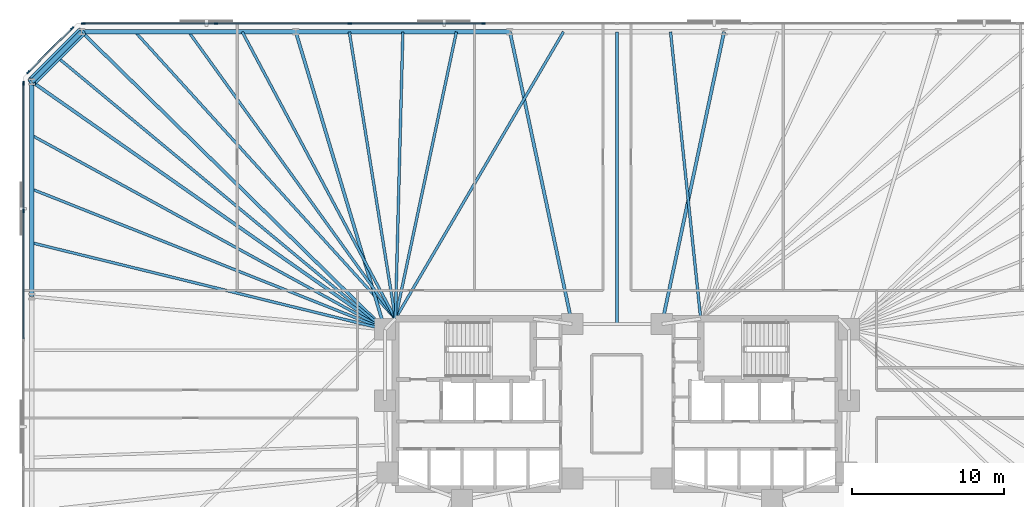
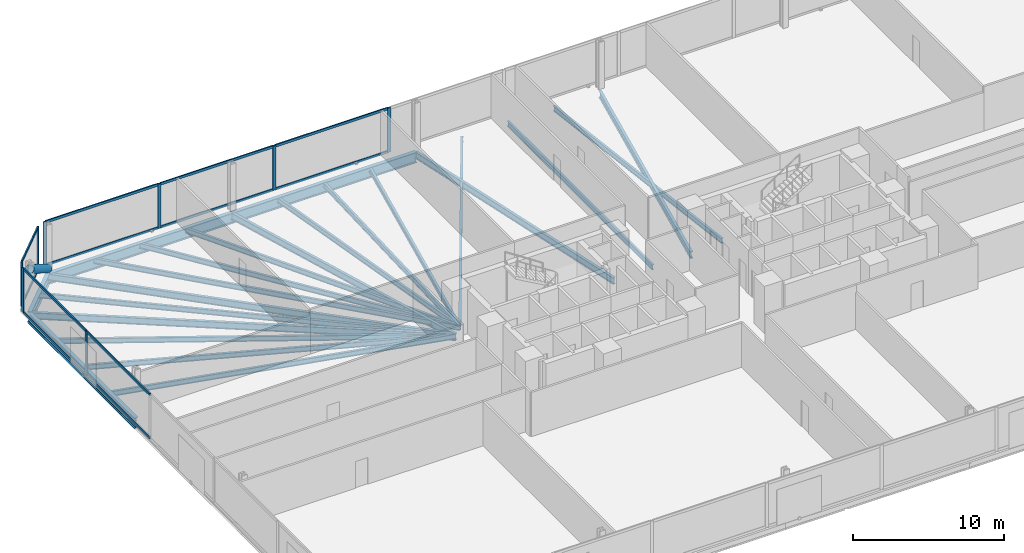
# One storey, part 8 of 17: 22 beams, 21 members, 3 elements without a shape of their own.
"""IFC4 building model written with IfcOpenShell, lengths in metres."""

from ifc_helpers import new_model, si_unit, direction, frame, origin, origin_2d, place, context, subcontext, project, spatial, rectangle, hollow_circle, i_section, extrude, material, material_profile, profile_set, type_object, element, aggregate, save


model = new_model("IFC4")

# Units and contexts
model_context = context("Model", 3, precision=1e-05, world=origin(), true_north=direction((0.0, 1.0)))
body_context = subcontext(model_context, "Body", "Model", "MODEL_VIEW")
ifc_project = project(units=[si_unit("LENGTHUNIT", "METRE"), si_unit("AREAUNIT", "SQUARE_METRE"), si_unit("VOLUMEUNIT", "CUBIC_METRE"), si_unit("PLANEANGLEUNIT", "RADIAN"), si_unit("MASSUNIT", "GRAM", prefix="KILO")], contexts=[model_context])

# Site, building, storey
site_placement = place(None, origin())
site = spatial("IfcSite", under=ifc_project, at=site_placement, CompositionType="ELEMENT")
building_placement = place(site_placement, origin())
building = spatial("IfcBuilding", under=site, at=building_placement, Name="Menara Jurai Vektor", CompositionType="ELEMENT")
storey_placement = place(building_placement, frame((0.0, 0.0, 48.39990234375)))
storey = spatial("IfcBuildingStorey", under=building, at=storey_placement, Name="L11", CompositionType="ELEMENT", Elevation=48.39990234375)

# Curtain wall, members
ifc_material_1 = material(Name="Anodised Pale Aluminium & Low-E Double Glazing", Category="aluminium")
curtain_wall_type = type_object("IfcCurtainWallType", Name="CW-BLK1", PredefinedType="NOTDEFINED", material=ifc_material_1)
curtain_wall_1_placement = place(storey_placement, origin())
curtain_wall_1 = element("IfcCurtainWall", 1, at=curtain_wall_1_placement, inside=storey, type_object=curtain_wall_type, Name="Unitised Curtain Wall L11 F05", PredefinedType="NOTDEFINED")
ifc_material_2 = material(Name="Anodised Pale Aluminium Mullion", Category="aluminium")
ifc_material_profile_1 = material_profile(ifc_material_2, rectangle(XDim=0.094970703125, YDim=0.239990234375, at=origin_2d()), Name="ALU MUL 95x240")
ifc_profile_set_1 = profile_set([ifc_material_profile_1], Name="Anodised Pale Aluminium Mullion")
member_type_1 = type_object("IfcMemberType", Name="CW-BLK1-MUL", PredefinedType="MULLION", material=ifc_profile_set_1)
member_1_placement = place(storey_placement, frame((-8.780029296875, 25.0, 0.0), z_axis=(0.0, 0.0, 1.0), x_axis=(0.0, -1.0, 0.0)))
member_1 = element("IfcMember", 2, at=member_1_placement, type_object=member_type_1, Name="CW-01 mullion 6", PredefinedType="MULLION", context=body_context, shape_type="SweptSolid", body=[
    extrude(rectangle(XDim=0.094970703125, YDim=0.239990234375, at=origin_2d()), origin(), (0.0, 0.0, 1.0), 3.5751953125),
])
member_2_placement = place(storey_placement, frame((-17.56005859375, 25.0, 0.0), z_axis=(0.0, 0.0, 1.0), x_axis=(0.0, -1.0, 0.0)))
member_2 = element("IfcMember", 3, at=member_2_placement, type_object=member_type_1, Name="CW-01 mullion 7", PredefinedType="MULLION", context=body_context, shape_type="SweptSolid", body=[
    extrude(rectangle(XDim=0.094970703125, YDim=0.239990234375, at=origin_2d()), origin(), (0.0, 0.0, 1.0), 3.5751953125),
])
member_3_placement = place(storey_placement, frame((-26.340087890625, 25.0, 0.0), z_axis=(0.0, 0.0, 1.0), x_axis=(0.0, -1.0, 0.0)))
member_3 = element("IfcMember", 4, at=member_3_placement, type_object=member_type_1, Name="CW-01 mullion 8", PredefinedType="MULLION", context=body_context, shape_type="SweptSolid", body=[
    extrude(rectangle(XDim=0.094970703125, YDim=0.239990234375, at=origin_2d()), origin(), (0.0, 0.0, 1.0), 3.5751953125),
])
member_4_placement = place(storey_placement, frame((-35.072509765625, 25.0, 0.0), z_axis=(0.0, 0.0, 1.0), x_axis=(0.0, -1.0, 0.0)))
member_4 = element("IfcMember", 5, at=member_4_placement, type_object=member_type_1, Name="CW-01 mullion 9", PredefinedType="MULLION", context=body_context, shape_type="SweptSolid", body=[
    extrude(rectangle(XDim=0.094970703125, YDim=0.239990234375, at=origin_2d()), origin(), (0.0, 0.0, 1.0), 3.5751953125),
])

curtain_wall_2_placement = place(storey_placement, origin())
curtain_wall_2 = element("IfcCurtainWall", 6, at=curtain_wall_2_placement, inside=storey, type_object=curtain_wall_type, Name="Unitised Curtain Wall L11 F06", PredefinedType="NOTDEFINED")
member_5_placement = place(storey_placement, frame((-35.80224609375, 24.69775390625, 0.0), z_axis=(0.0, 0.0, 1.0), x_axis=(0.707106781187, -0.707106781187, 0.0)))
member_5 = element("IfcMember", 7, at=member_5_placement, type_object=member_type_1, Name="CW-01 mullion 1", PredefinedType="MULLION", context=body_context, shape_type="SweptSolid", body=[
    extrude(rectangle(XDim=0.094970703125, YDim=0.239990234375, at=origin_2d()), origin(), (0.0, 0.0, 1.0), 3.5751953125),
])
member_6_placement = place(storey_placement, frame((-38.69775390625, 21.80224609375, 0.0), z_axis=(0.0, 0.0, 1.0), x_axis=(0.707106781187, -0.707106781187, 0.0)))
member_6 = element("IfcMember", 8, at=member_6_placement, type_object=member_type_1, Name="CW-01 mullion 2", PredefinedType="MULLION", context=body_context, shape_type="SweptSolid", body=[
    extrude(rectangle(XDim=0.094970703125, YDim=0.239990234375, at=origin_2d()), origin(), (0.0, 0.0, 1.0), 3.5751953125),
])

curtain_wall_3_placement = place(storey_placement, origin())
curtain_wall_3 = element("IfcCurtainWall", 9, at=curtain_wall_3_placement, inside=storey, type_object=curtain_wall_type, Name="Unitised Curtain Wall L11 F07", PredefinedType="NOTDEFINED")
member_7_placement = place(storey_placement, frame((-39.0, 21.072509765625, 0.0), z_axis=(0.0, 0.0, 1.0), x_axis=(1.0, 0.0, 0.0)))
member_7 = element("IfcMember", 10, at=member_7_placement, type_object=member_type_1, Name="CW-01 mullion 1", PredefinedType="MULLION", context=body_context, shape_type="SweptSolid", body=[
    extrude(rectangle(XDim=0.094970703125, YDim=0.239990234375, at=origin_2d()), origin(), (0.0, 0.0, 1.0), 3.5751953125),
])
member_8_placement = place(storey_placement, frame((-39.0, 12.672119140625, 0.0), z_axis=(0.0, 0.0, 1.0), x_axis=(1.0, 0.0, 0.0)))
member_8 = element("IfcMember", 11, at=member_8_placement, type_object=member_type_1, Name="CW-01 mullion 2", PredefinedType="MULLION", context=body_context, shape_type="SweptSolid", body=[
    extrude(rectangle(XDim=0.094970703125, YDim=0.239990234375, at=origin_2d()), origin(), (0.0, 0.0, 1.0), 3.5751953125),
])

# Member
ifc_material_3 = material(Name="Anodised Pale Aluminium Transom", Category="aluminium")
ifc_material_profile_2 = material_profile(ifc_material_3, rectangle(XDim=0.094970703125, YDim=0.199951171875, at=origin_2d()), Name="ALU TRN 95x200")
ifc_profile_set_2 = profile_set([ifc_material_profile_2], Name="Anodised Pale Aluminium Transom")
member_type_2 = type_object("IfcMemberType", Name="CW-BLK1-TRN", PredefinedType="USERDEFINED", material=ifc_profile_set_2)
member_9_placement = place(storey_placement, frame((-8.827392578125, 25.0, 0.047607421875), z_axis=(-1.0, 0.0, 0.0), x_axis=(0.0, -1.0, 0.0)))
member_9 = element("IfcMember", 12, at=member_9_placement, type_object=member_type_2, Name="CW-01 transom 6.1", ObjectType="TRANSOM", PredefinedType="USERDEFINED", context=body_context, shape_type="SweptSolid", body=[
    extrude(rectangle(XDim=0.094970703125, YDim=0.199951171875, at=origin_2d()), origin(), (0.0, 0.0, 1.0), 8.68505859375),
])

member_10_placement = place(storey_placement, frame((-8.827392578125, 25.0, 3.527587890625), z_axis=(-1.0, 0.0, 0.0), x_axis=(0.0, -1.0, 0.0)))
member_10 = element("IfcMember", 13, at=member_10_placement, type_object=member_type_2, Name="CW-01 transom 6.2", ObjectType="TRANSOM", PredefinedType="USERDEFINED", context=body_context, shape_type="SweptSolid", body=[
    extrude(rectangle(XDim=0.094970703125, YDim=0.199951171875, at=origin_2d()), origin(), (0.0, 0.0, 1.0), 8.68505859375),
])

member_11_placement = place(storey_placement, frame((-17.607421875, 25.0, 0.047607421875), z_axis=(-1.0, 0.0, 0.0), x_axis=(0.0, -1.0, 0.0)))
member_11 = element("IfcMember", 14, at=member_11_placement, type_object=member_type_2, Name="CW-01 transom 7.1", ObjectType="TRANSOM", PredefinedType="USERDEFINED", context=body_context, shape_type="SweptSolid", body=[
    extrude(rectangle(XDim=0.094970703125, YDim=0.199951171875, at=origin_2d()), origin(), (0.0, 0.0, 1.0), 8.68505859375),
])

member_12_placement = place(storey_placement, frame((-17.607421875, 25.0, 3.527587890625), z_axis=(-1.0, 0.0, 0.0), x_axis=(0.0, -1.0, 0.0)))
member_12 = element("IfcMember", 15, at=member_12_placement, type_object=member_type_2, Name="CW-01 transom 7.2", ObjectType="TRANSOM", PredefinedType="USERDEFINED", context=body_context, shape_type="SweptSolid", body=[
    extrude(rectangle(XDim=0.094970703125, YDim=0.199951171875, at=origin_2d()), origin(), (0.0, 0.0, 1.0), 8.68505859375),
])

member_13_placement = place(storey_placement, frame((-26.387451171875, 25.0, 0.047607421875), z_axis=(-1.0, 0.0, 0.0), x_axis=(0.0, -1.0, 0.0)))
member_13 = element("IfcMember", 16, at=member_13_placement, type_object=member_type_2, Name="CW-01 transom 8.1", ObjectType="TRANSOM", PredefinedType="USERDEFINED", context=body_context, shape_type="SweptSolid", body=[
    extrude(rectangle(XDim=0.094970703125, YDim=0.199951171875, at=origin_2d()), origin(), (0.0, 0.0, 1.0), 8.637451171875),
])

member_14_placement = place(storey_placement, frame((-26.387451171875, 25.0, 3.527587890625), z_axis=(-1.0, 0.0, 0.0), x_axis=(0.0, -1.0, 0.0)))
member_14 = element("IfcMember", 17, at=member_14_placement, type_object=member_type_2, Name="CW-01 transom 8.2", ObjectType="TRANSOM", PredefinedType="USERDEFINED", context=body_context, shape_type="SweptSolid", body=[
    extrude(rectangle(XDim=0.094970703125, YDim=0.199951171875, at=origin_2d()), origin(), (0.0, 0.0, 1.0), 8.637451171875),
])

aggregate(curtain_wall_1, [member_1, member_2, member_3, member_4, member_9, member_10, member_11, member_12, member_13, member_14])

member_15_placement = place(storey_placement, frame((-35.8359375, 24.6640625, 0.047607421875), z_axis=(-0.707106781187, -0.707106781187, 0.0), x_axis=(0.707106781187, -0.707106781187, 0.0)))
member_15 = element("IfcMember", 18, at=member_15_placement, type_object=member_type_2, Name="CW-01 transom 1.1", ObjectType="TRANSOM", PredefinedType="USERDEFINED", context=body_context, shape_type="SweptSolid", body=[
    extrude(rectangle(XDim=0.094970703125, YDim=0.199951171875, at=origin_2d()), origin(), (0.0, 0.0, 1.0), 3.99951171875),
])

member_16_placement = place(storey_placement, frame((-35.8359375, 24.6640625, 3.527587890625), z_axis=(-0.707106781187, -0.707106781187, 0.0), x_axis=(0.707106781187, -0.707106781187, 0.0)))
member_16 = element("IfcMember", 19, at=member_16_placement, type_object=member_type_2, Name="CW-01 transom 1.2", ObjectType="TRANSOM", PredefinedType="USERDEFINED", context=body_context, shape_type="SweptSolid", body=[
    extrude(rectangle(XDim=0.094970703125, YDim=0.199951171875, at=origin_2d()), origin(), (0.0, 0.0, 1.0), 3.99951171875),
])

aggregate(curtain_wall_2, [member_5, member_6, member_15, member_16])

member_17_placement = place(storey_placement, frame((-39.0, 21.02490234375, 0.047607421875), z_axis=(0.0, -1.0, 0.0), x_axis=(1.0, 0.0, 0.0)))
member_17 = element("IfcMember", 20, at=member_17_placement, type_object=member_type_2, Name="CW-01 transom 1.1", ObjectType="TRANSOM", PredefinedType="USERDEFINED", context=body_context, shape_type="SweptSolid", body=[
    extrude(rectangle(XDim=0.094970703125, YDim=0.199951171875, at=origin_2d()), origin(), (0.0, 0.0, 1.0), 8.305419921875),
])

member_18_placement = place(storey_placement, frame((-39.0, 21.02490234375, 3.527587890625), z_axis=(0.0, -1.0, 0.0), x_axis=(1.0, 0.0, 0.0)))
member_18 = element("IfcMember", 21, at=member_18_placement, type_object=member_type_2, Name="CW-01 transom 1.2", ObjectType="TRANSOM", PredefinedType="USERDEFINED", context=body_context, shape_type="SweptSolid", body=[
    extrude(rectangle(XDim=0.094970703125, YDim=0.199951171875, at=origin_2d()), origin(), (0.0, 0.0, 1.0), 8.305419921875),
])

member_19_placement = place(storey_placement, frame((-39.0, 12.62451171875, 0.047607421875), z_axis=(0.0, -1.0, 0.0), x_axis=(1.0, 0.0, 0.0)))
member_19 = element("IfcMember", 22, at=member_19_placement, type_object=member_type_2, Name="CW-01 transom 2.1", ObjectType="TRANSOM", PredefinedType="USERDEFINED", context=body_context, shape_type="SweptSolid", body=[
    extrude(rectangle(XDim=0.094970703125, YDim=0.199951171875, at=origin_2d()), origin(), (0.0, 0.0, 1.0), 8.35302734375),
])

member_20_placement = place(storey_placement, frame((-39.0, 12.62451171875, 3.527587890625), z_axis=(0.0, -1.0, 0.0), x_axis=(1.0, 0.0, 0.0)))
member_20 = element("IfcMember", 23, at=member_20_placement, type_object=member_type_2, Name="CW-01 transom 2.2", ObjectType="TRANSOM", PredefinedType="USERDEFINED", context=body_context, shape_type="SweptSolid", body=[
    extrude(rectangle(XDim=0.094970703125, YDim=0.199951171875, at=origin_2d()), origin(), (0.0, 0.0, 1.0), 8.35302734375),
])

aggregate(curtain_wall_3, [member_7, member_8, member_17, member_18, member_19, member_20])

# Beams
ifc_material_4 = material(Name="Steel S355", Category="steel")
ifc_material_profile_3 = material_profile(ifc_material_4, i_section(OverallWidth=0.2109375, OverallDepth=0.5390625, WebThickness=0.011962890625, FlangeThickness=0.01904296875, FilletRadius=0.012939453125, at=origin_2d()), Name="UKB 533x210x109")
ifc_profile_set_3 = profile_set([ifc_material_profile_3], Name="Steel S355")
beam_type_1 = type_object("IfcBeamType", Name="STR-BM-533", PredefinedType="BEAM", material=ifc_profile_set_3)
for number, where, z_axis, x_axis, name in (
    (24, (7.03564453125, 24.449951171875, -0.494384765625), (-0.2081367579, -0.978099734184, 0.0), (0.978099734184, -0.2081367579, 0.0), "Radial Floor Girder L11-N3"),
    (25, (-7.03564453125, 24.449951171875, -0.494384765625), (0.2081367579, -0.978099734184, 0.0), (0.978099734184, 0.2081367579, 0.0), "Radial Floor Girder L11-N4"),
):
    element("IfcBeam", number, at=place(storey_placement, frame(where, z_axis=z_axis, x_axis=x_axis)), inside=storey, type_object=beam_type_1, Name=name, PredefinedType="BEAM", context=body_context, shape_type="SweptSolid", body=[
        extrude(i_section(OverallWidth=0.2109375, OverallDepth=0.5390625, WebThickness=0.011962890625, FlangeThickness=0.01904296875, FilletRadius=0.012939453125, at=origin_2d()), origin(), (0.0, 0.0, 1.0), 19.6298828125),
    ])
beam_1_placement = place(storey_placement, frame((-21.106689453125, 24.449951171875, -0.494384765625), z_axis=(0.286973617166, -0.957938486047, 0.0), x_axis=(0.957938486047, 0.286973617166, 0.0)))
element("IfcBeam", 26, at=beam_1_placement, inside=storey, type_object=beam_type_1, Name="Radial Floor Girder L11-N5", PredefinedType="BEAM", context=body_context, shape_type="SweptSolid", body=[
    extrude(i_section(OverallWidth=0.2109375, OverallDepth=0.5390625, WebThickness=0.011962890625, FlangeThickness=0.01904296875, FilletRadius=0.012939453125, at=origin_2d()), origin(), (0.0, 0.0, 1.0), 20.408447265625),
])
beam_2_placement = place(storey_placement, frame((-35.177734375, 24.449951171875, -0.494384765625), z_axis=(0.713839032855, -0.700309813706, 0.0), x_axis=(0.700309813706, 0.713839032855, 0.0)))
element("IfcBeam", 27, at=beam_2_placement, inside=storey, type_object=beam_type_1, Name="Radial Floor Girder L11-N6", PredefinedType="BEAM", context=body_context, shape_type="SweptSolid", body=[
    extrude(i_section(OverallWidth=0.2109375, OverallDepth=0.5390625, WebThickness=0.011962890625, FlangeThickness=0.01904296875, FilletRadius=0.012939453125, at=origin_2d()), origin(), (0.0, 0.0, 1.0), 27.916259765625),
])
beam_3_placement = place(storey_placement, frame((-38.449951171875, 21.177734375, -0.494384765625), z_axis=(0.818603732445, -0.574358711283, 0.0), x_axis=(0.574358711283, 0.818603732445, 0.0)))
element("IfcBeam", 28, at=beam_3_placement, inside=storey, type_object=beam_type_1, Name="Radial Floor Girder L11-W1", PredefinedType="BEAM", context=body_context, shape_type="SweptSolid", body=[
    extrude(i_section(OverallWidth=0.2109375, OverallDepth=0.5390625, WebThickness=0.011962890625, FlangeThickness=0.01904296875, FilletRadius=0.012939453125, at=origin_2d()), origin(), (0.0, 0.0, 1.0), 28.3408203125),
])

# Member
ifc_material_5 = material(Name="Steel S460", Category="steel")
ifc_material_profile_4 = material_profile(ifc_material_5, hollow_circle(Radius=0.304931640625, WallThickness=0.02490234375, at=origin_2d()), Name="CHS 610x25")
ifc_profile_set_4 = profile_set([ifc_material_profile_4], Name="Steel S460")
member_type_3 = type_object("IfcMemberType", Name="STR-BR-610", PredefinedType="BRACE", material=ifc_profile_set_4)
member_21_placement = place(storey_placement, frame((-35.177734375, 24.449951171875, 0.150146484375), z_axis=(-0.588942422958, -0.588942422958, 0.553438022619), x_axis=(0.707106781187, -0.707106781187, 0.0)))
element("IfcMember", 29, at=member_21_placement, inside=storey, type_object=member_type_3, Name="Exoskeleton Corner Brace L11-3", PredefinedType="BRACE", context=body_context, shape_type="SweptSolid", body=[
    extrude(hollow_circle(Radius=0.304931640625, WallThickness=0.02490234375, at=origin_2d()), origin(), (0.0, 0.0, 1.0), 5.55615234375),
])

# Beams
ifc_material_profile_5 = material_profile(ifc_material_4, i_section(OverallWidth=0.178955078125, OverallDepth=0.408935546875, WebThickness=0.009033203125, FlangeThickness=0.013916015625, FilletRadius=0.010009765625, at=origin_2d()), Name="UKB 406x178x67")
ifc_profile_set_5 = profile_set([ifc_material_profile_5], Name="Steel S355")
beam_type_2 = type_object("IfcBeamType", Name="STR-JS-406", PredefinedType="JOIST", material=ifc_profile_set_5)
beam_4_placement = place(storey_placement, frame((3.517822265625, 24.449951171875, -0.429443359375), z_axis=(0.104579513969, -0.994516528399, 0.0), x_axis=(0.994516528399, 0.104579513969, 0.0)))
element("IfcBeam", 30, at=beam_4_placement, inside=storey, type_object=beam_type_2, Name="Radial Secondary Floor Joist L11-JS22", PredefinedType="JOIST", context=body_context, shape_type="SweptSolid", body=[
    extrude(i_section(OverallWidth=0.178955078125, OverallDepth=0.408935546875, WebThickness=0.009033203125, FlangeThickness=0.013916015625, FilletRadius=0.010009765625, at=origin_2d()), origin(), (0.0, 0.0, 1.0), 18.953857421875),
])
beam_5_placement = place(storey_placement, frame((0.0, 24.449951171875, -0.429443359375), z_axis=(0.0, -1.0, 0.0), x_axis=(1.0, 0.0, 0.0)))
element("IfcBeam", 31, at=beam_5_placement, inside=storey, type_object=beam_type_2, Name="Radial Secondary Floor Joist L11-JS23", PredefinedType="JOIST", context=body_context, shape_type="SweptSolid", body=[
    extrude(i_section(OverallWidth=0.178955078125, OverallDepth=0.408935546875, WebThickness=0.009033203125, FlangeThickness=0.013916015625, FilletRadius=0.010009765625, at=origin_2d()), origin(), (0.0, 0.0, 1.0), 19.199951171875),
])
beam_6_placement = place(storey_placement, frame((-3.517822265625, 24.449951171875, -0.429443359375), z_axis=(-0.505457909797, -0.862851262631, 0.0), x_axis=(0.862851262631, -0.505457909797, 0.0)))
element("IfcBeam", 32, at=beam_6_placement, inside=storey, type_object=beam_type_2, Name="Radial Secondary Floor Joist L11-JS24", PredefinedType="JOIST", context=body_context, shape_type="SweptSolid", body=[
    extrude(i_section(OverallWidth=0.178955078125, OverallDepth=0.408935546875, WebThickness=0.009033203125, FlangeThickness=0.013916015625, FilletRadius=0.010009765625, at=origin_2d()), origin(), (0.0, 0.0, 1.0), 21.845947265625),
])
beam_7_placement = place(storey_placement, frame((-10.55322265625, 24.449951171875, -0.429443359375), z_axis=(-0.207920423262, -0.978145744555, 0.0), x_axis=(0.978145744555, -0.207920423262, 0.0)))
element("IfcBeam", 33, at=beam_7_placement, inside=storey, type_object=beam_type_2, Name="Radial Secondary Floor Joist L11-JS25", PredefinedType="JOIST", context=body_context, shape_type="SweptSolid", body=[
    extrude(i_section(OverallWidth=0.178955078125, OverallDepth=0.408935546875, WebThickness=0.009033203125, FlangeThickness=0.013916015625, FilletRadius=0.010009765625, at=origin_2d()), origin(), (0.0, 0.0, 1.0), 19.27099609375),
])
beam_8_placement = place(storey_placement, frame((-14.071044921875, 24.449951171875, -0.429443359375), z_axis=(-0.02593384597, -0.999663661255, 0.0), x_axis=(0.999663661255, -0.02593384597, 0.0)))
element("IfcBeam", 34, at=beam_8_placement, inside=storey, type_object=beam_type_2, Name="Radial Secondary Floor Joist L11-JS26", PredefinedType="JOIST", context=body_context, shape_type="SweptSolid", body=[
    extrude(i_section(OverallWidth=0.178955078125, OverallDepth=0.408935546875, WebThickness=0.009033203125, FlangeThickness=0.013916015625, FilletRadius=0.010009765625, at=origin_2d()), origin(), (0.0, 0.0, 1.0), 18.856201171875),
])
beam_9_placement = place(storey_placement, frame((-17.5888671875, 24.449951171875, -0.429443359375), z_axis=(0.158645817656, -0.987335558227, 0.0), x_axis=(0.987335558227, 0.158645817656, 0.0)))
element("IfcBeam", 35, at=beam_9_placement, inside=storey, type_object=beam_type_2, Name="Radial Secondary Floor Joist L11-JS27", PredefinedType="JOIST", context=body_context, shape_type="SweptSolid", body=[
    extrude(i_section(OverallWidth=0.178955078125, OverallDepth=0.408935546875, WebThickness=0.009033203125, FlangeThickness=0.013916015625, FilletRadius=0.010009765625, at=origin_2d()), origin(), (0.0, 0.0, 1.0), 19.091552734375),
])
beam_10_placement = place(storey_placement, frame((-24.62451171875, 24.449951171875, -0.429443359375), z_axis=(0.470996174599, -0.882135252392, 0.0), x_axis=(0.882135252392, 0.470996174599, 0.0)))
element("IfcBeam", 36, at=beam_10_placement, inside=storey, type_object=beam_type_2, Name="Radial Secondary Floor Joist L11-JS28", PredefinedType="JOIST", context=body_context, shape_type="SweptSolid", body=[
    extrude(i_section(OverallWidth=0.178955078125, OverallDepth=0.408935546875, WebThickness=0.009033203125, FlangeThickness=0.013916015625, FilletRadius=0.010009765625, at=origin_2d()), origin(), (0.0, 0.0, 1.0), 21.368408203125),
])
beam_11_placement = place(storey_placement, frame((-28.142333984375, 24.449951171875, -0.429443359375), z_axis=(0.584598948369, -0.811322420229, 0.0), x_axis=(0.811322420229, 0.584598948369, 0.0)))
element("IfcBeam", 37, at=beam_11_placement, inside=storey, type_object=beam_type_2, Name="Radial Secondary Floor Joist L11-JS29", PredefinedType="JOIST", context=body_context, shape_type="SweptSolid", body=[
    extrude(i_section(OverallWidth=0.178955078125, OverallDepth=0.408935546875, WebThickness=0.009033203125, FlangeThickness=0.013916015625, FilletRadius=0.010009765625, at=origin_2d()), origin(), (0.0, 0.0, 1.0), 23.2333984375),
])
beam_12_placement = place(storey_placement, frame((-31.659912109375, 24.449951171875, -0.429443359375), z_axis=(0.671889844346, -0.740651089964, 0.0), x_axis=(0.740651089964, 0.671889844346, 0.0)))
element("IfcBeam", 38, at=beam_12_placement, inside=storey, type_object=beam_type_2, Name="Radial Secondary Floor Joist L11-JS30", PredefinedType="JOIST", context=body_context, shape_type="SweptSolid", body=[
    extrude(i_section(OverallWidth=0.178955078125, OverallDepth=0.408935546875, WebThickness=0.009033203125, FlangeThickness=0.013916015625, FilletRadius=0.010009765625, at=origin_2d()), origin(), (0.0, 0.0, 1.0), 25.450439453125),
])
beam_13_placement = place(storey_placement, frame((-36.81396484375, 22.81396484375, -0.429443359375), z_axis=(0.769201173096, -0.639006694259, 0.0), x_axis=(0.639006694259, 0.769201173096, 0.0)))
element("IfcBeam", 39, at=beam_13_placement, inside=storey, type_object=beam_type_2, Name="Radial Secondary Floor Joist L11-JS31", PredefinedType="JOIST", context=body_context, shape_type="SweptSolid", body=[
    extrude(i_section(OverallWidth=0.178955078125, OverallDepth=0.408935546875, WebThickness=0.009033203125, FlangeThickness=0.013916015625, FilletRadius=0.010009765625, at=origin_2d()), origin(), (0.0, 0.0, 1.0), 28.0341796875),
])
beam_14_placement = place(storey_placement, frame((-38.449951171875, 17.648193359375, -0.429443359375), z_axis=(0.87640219057, -0.481579900291, 0.0), x_axis=(0.481579900291, 0.87640219057, 0.0)))
element("IfcBeam", 40, at=beam_14_placement, inside=storey, type_object=beam_type_2, Name="Radial Secondary Floor Joist L11-JS32", PredefinedType="JOIST", context=body_context, shape_type="SweptSolid", body=[
    extrude(i_section(OverallWidth=0.178955078125, OverallDepth=0.408935546875, WebThickness=0.009033203125, FlangeThickness=0.013916015625, FilletRadius=0.010009765625, at=origin_2d()), origin(), (0.0, 0.0, 1.0), 26.471923828125),
])
beam_15_placement = place(storey_placement, frame((-38.449951171875, 14.118408203125, -0.429443359375), z_axis=(0.929323400723, -0.369266864027, 0.0), x_axis=(0.369266864027, 0.929323400723, 0.0)))
element("IfcBeam", 41, at=beam_15_placement, inside=storey, type_object=beam_type_2, Name="Radial Secondary Floor Joist L11-JS33", PredefinedType="JOIST", context=body_context, shape_type="SweptSolid", body=[
    extrude(i_section(OverallWidth=0.178955078125, OverallDepth=0.408935546875, WebThickness=0.009033203125, FlangeThickness=0.013916015625, FilletRadius=0.010009765625, at=origin_2d()), origin(), (0.0, 0.0, 1.0), 24.96435546875),
])
beam_16_placement = place(storey_placement, frame((-38.449951171875, 10.5888671875, -0.429443359375), z_axis=(0.971226234641, -0.238158772976, 0.0), x_axis=(0.238158772976, 0.971226234641, 0.0)))
element("IfcBeam", 42, at=beam_16_placement, inside=storey, type_object=beam_type_2, Name="Radial Secondary Floor Joist L11-JS34", PredefinedType="JOIST", context=body_context, shape_type="SweptSolid", body=[
    extrude(i_section(OverallWidth=0.178955078125, OverallDepth=0.408935546875, WebThickness=0.009033203125, FlangeThickness=0.013916015625, FilletRadius=0.010009765625, at=origin_2d()), origin(), (0.0, 0.0, 1.0), 23.88720703125),
])
ifc_material_profile_6 = material_profile(ifc_material_5, i_section(OverallWidth=0.2939453125, OverallDepth=0.85107421875, WebThickness=0.01611328125, FlangeThickness=0.027099609375, FilletRadius=0.01806640625, at=origin_2d()), Name="UKB 838x292x226")
ifc_profile_set_6 = profile_set([ifc_material_profile_6], Name="Steel S460")
beam_type_3 = type_object("IfcBeamType", Name="STR-SP-838", PredefinedType="SPANDREL", material=ifc_profile_set_6)
for number, where, z_axis, x_axis, name in (
    (43, (-7.03564453125, 24.449951171875, -0.650390625), (-1.0, 0.0, 0.0), (0.0, -1.0, 0.0), "Exoskeleton Spandrel Beam L11-14"),
    (44, (-21.106689453125, 24.449951171875, -0.650390625), (-1.0, 0.0, 0.0), (0.0, -1.0, 0.0), "Exoskeleton Spandrel Beam L11-15"),
):
    element("IfcBeam", number, at=place(storey_placement, frame(where, z_axis=z_axis, x_axis=x_axis)), inside=storey, type_object=beam_type_3, Name=name, PredefinedType="SPANDREL", context=body_context, shape_type="SweptSolid", body=[
        extrude(i_section(OverallWidth=0.2939453125, OverallDepth=0.85107421875, WebThickness=0.01611328125, FlangeThickness=0.027099609375, FilletRadius=0.01806640625, at=origin_2d()), origin(), (0.0, 0.0, 1.0), 14.071044921875),
    ])
beam_17_placement = place(storey_placement, frame((-35.177734375, 24.449951171875, -0.650390625), z_axis=(-0.707106781187, -0.707106781187, 0.0), x_axis=(0.707106781187, -0.707106781187, 0.0)))
element("IfcBeam", 45, at=beam_17_placement, inside=storey, type_object=beam_type_3, Name="Exoskeleton Spandrel Beam L11-16", PredefinedType="SPANDREL", context=body_context, shape_type="SweptSolid", body=[
    extrude(i_section(OverallWidth=0.2939453125, OverallDepth=0.85107421875, WebThickness=0.01611328125, FlangeThickness=0.027099609375, FilletRadius=0.01806640625, at=origin_2d()), origin(), (0.0, 0.0, 1.0), 4.627685546875),
])
beam_18_placement = place(storey_placement, frame((-38.449951171875, 21.177734375, -0.650390625), z_axis=(0.0, -1.0, 0.0), x_axis=(1.0, 0.0, 0.0)))
element("IfcBeam", 46, at=beam_18_placement, inside=storey, type_object=beam_type_3, Name="Exoskeleton Spandrel Beam L11-17", PredefinedType="SPANDREL", context=body_context, shape_type="SweptSolid", body=[
    extrude(i_section(OverallWidth=0.2939453125, OverallDepth=0.85107421875, WebThickness=0.01611328125, FlangeThickness=0.027099609375, FilletRadius=0.01806640625, at=origin_2d()), origin(), (0.0, 0.0, 1.0), 14.118408203125),
])

save(model, "model.ifc")
